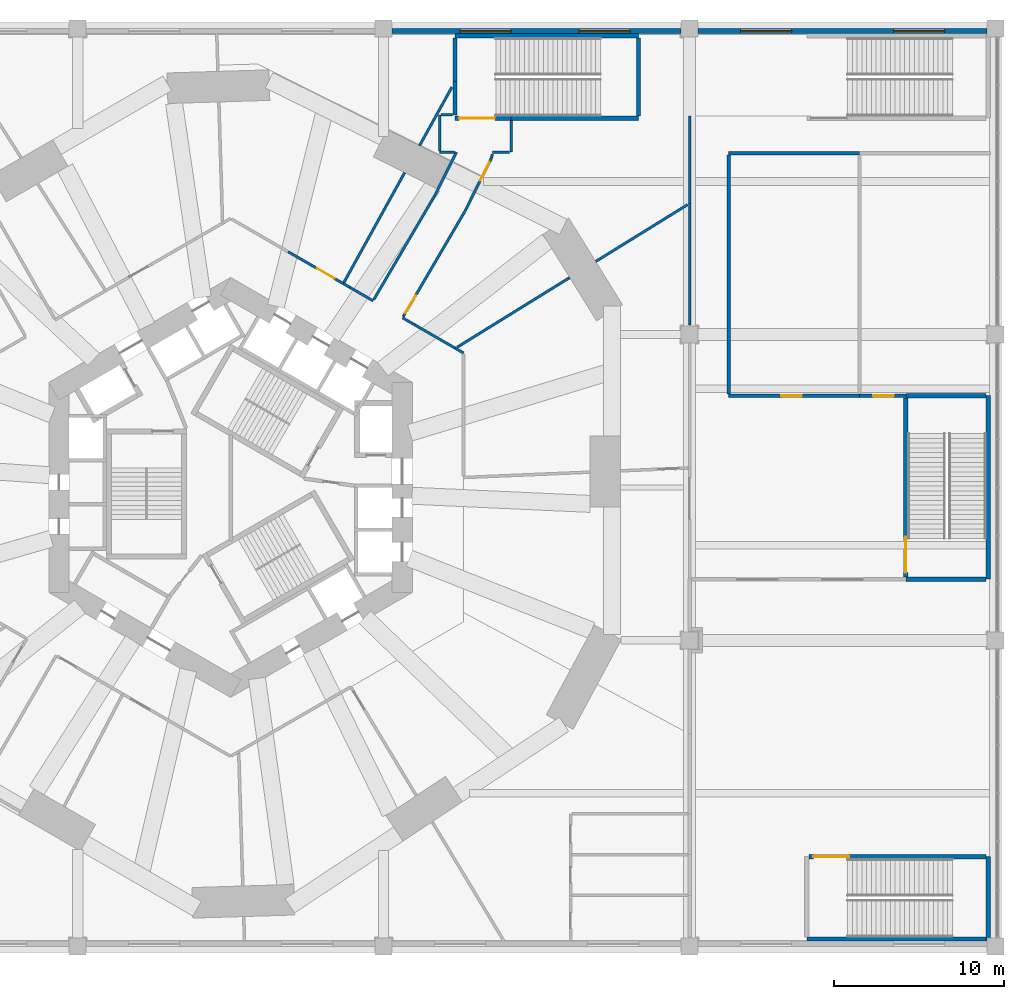
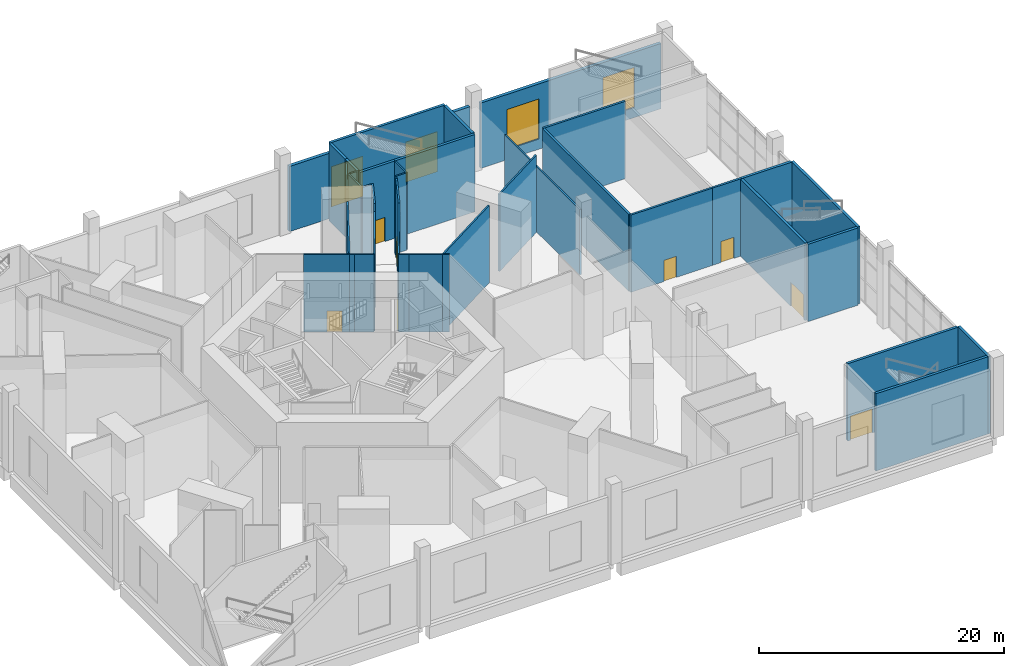
# One storey, part 10 of 15: 41 walls, 8 doors, 4 windows, 12 openings.
"""IFC4 building model written with IfcOpenShell, lengths in metres."""

from ifc_helpers import new_model, si_unit, direction, frame, frame_2d, origin, place, context, subcontext, project, spatial, rectangle, extrude, material, layer, layer_set, type_object, element, fill, save


model = new_model("IFC4")

# Units and contexts
model_context = context("Model", 3, precision=1e-05, world=origin(), true_north=direction((0.0, 1.0)))
body_context = subcontext(model_context, "Body", "Model", "MODEL_VIEW")
ifc_project = project(units=[si_unit("LENGTHUNIT", "METRE"), si_unit("AREAUNIT", "SQUARE_METRE"), si_unit("VOLUMEUNIT", "CUBIC_METRE"), si_unit("PLANEANGLEUNIT", "RADIAN"), si_unit("MASSUNIT", "GRAM", prefix="KILO")], contexts=[model_context])

# Site, building, storey
site_placement = place(None, origin())
site = spatial("IfcSite", under=ifc_project, at=site_placement, CompositionType="ELEMENT")
building_placement = place(site_placement, origin())
building = spatial("IfcBuilding", under=site, at=building_placement, Name="Vanh Sen Convention Tower", CompositionType="ELEMENT")
storey_placement = place(building_placement, frame((0.0, 0.0, 21.0)))
storey = spatial("IfcBuildingStorey", under=building, at=storey_placement, Name="L03", CompositionType="ELEMENT", Elevation=21.0)

# Wall, opening, door
ifc_material_1 = material(Name="Concrete C40/50", Category="concrete")
ifc_layer_1 = layer(ifc_material_1, 0.25)
ifc_layer_set_1 = layer_set([ifc_layer_1], Name="Concrete C40/50")
wall_type_1 = type_object("IfcWallType", Name="Concrete wall 250 REI 180", PredefinedType="SOLIDWALL", material=ifc_layer_set_1)
wall_1_placement = place(storey_placement, frame((34.0400390625, -21.72509765625, 0.0), z_axis=(0.0, 0.0, 1.0), x_axis=(1.0, 0.0, 0.0)))
wall_1 = element("IfcWall", 1, at=wall_1_placement, inside=storey, type_object=wall_type_1, Name="Fire-resisting wall L03-011", PredefinedType="SOLIDWALL", context=body_context, shape_type="SweptSolid", body=[
    extrude(rectangle(XDim=10.39990234375, YDim=0.25, at=frame_2d((5.199951171875, 0.0))), origin(), (0.0, 0.0, 1.0), 7.699951171875),
])
opening_1_placement = place(wall_1_placement, frame((0.25, 0.0, 0.0)))
opening_1 = element("IfcOpeningElement", 2, at=opening_1_placement, cuts=wall_1, Name="Opening D03104", PredefinedType="OPENING", context=body_context, shape_type="SweptSolid", body=[
    extrude(rectangle(XDim=2.10009765625, YDim=2.39990234375, at=frame_2d((1.050048828125, 1.199951171875))), frame((0.0, 0.135009765625, 0.0), z_axis=(0.0, -1.0, 0.0), x_axis=(1.0, 0.0, 0.0)), (0.0, 0.0, 1.0), 0.27001953125),
])
ifc_material_2 = material(Name="Steel S355", Category="steel")
door_type_1 = type_object("IfcDoorType", Name="Stair door 2100 EI 60", OperationType="DOUBLE_DOOR_SINGLE_SWING", PredefinedType="DOOR", material=ifc_material_2)
door_1_placement = place(opening_1_placement, frame((2.10009765625, 0.0, 0.0), z_axis=(0.0, 0.0, 1.0), x_axis=(-1.0, 0.0, 0.0)))
door_1 = element("IfcDoor", 3, at=door_1_placement, inside=storey, type_object=door_type_1, Name="Stair door D03104", OperationType="DOUBLE_DOOR_SINGLE_SWING", OverallHeight=2.39990234375, OverallWidth=2.10009765625, PredefinedType="DOOR", context=body_context, shape_type="SweptSolid", body=[
    extrude(rectangle(XDim=2.10009765625, YDim=2.39990234375, at=frame_2d((1.050048828125, 1.199951171875))), frame((0.0, 0.02490234375, 0.0), z_axis=(0.0, -1.0, 0.0), x_axis=(1.0, 0.0, 0.0)), (0.0, 0.0, 1.0), 0.050048828125),
])
fill(opening_1, door_1)

# Wall
wall_2_placement = place(storey_placement, frame((44.43994140625, -5.39990234375, 0.0), z_axis=(0.0, 0.0, 1.0), x_axis=(-1.0, 0.0, 0.0)))
element("IfcWall", 4, at=wall_2_placement, inside=storey, type_object=wall_type_1, Name="Fire-resisting wall L03-050", PredefinedType="SOLIDWALL", context=body_context, shape_type="SweptSolid", body=[
    extrude(rectangle(XDim=4.71484375, YDim=0.25, at=frame_2d((2.357421875, 0.0))), origin(), (0.0, 0.0, 1.0), 7.699951171875),
])

# Wall, opening, door
wall_3_placement = place(storey_placement, frame((39.72509765625, -5.260009765625, 0.0), z_axis=(0.0, 0.0, 1.0), x_axis=(0.0, 1.0, 0.0)))
wall_3 = element("IfcWall", 5, at=wall_3_placement, inside=storey, type_object=wall_type_1, Name="Fire-resisting wall L03-051", PredefinedType="SOLIDWALL", context=body_context, shape_type="SweptSolid", body=[
    extrude(rectangle(XDim=10.52001953125, YDim=0.25, at=frame_2d((5.260009765625, 0.0))), origin(), (0.0, 0.0, 1.0), 7.699951171875),
])
opening_2_placement = place(wall_3_placement, frame((0.25, 0.0, 0.0)))
opening_2 = element("IfcOpeningElement", 6, at=opening_2_placement, cuts=wall_3, Name="Opening D03114", PredefinedType="OPENING", context=body_context, shape_type="SweptSolid", body=[
    extrude(rectangle(XDim=2.10009765625, YDim=2.39990234375, at=frame_2d((1.050048828125, 1.199951171875))), frame((0.0, 0.135009765625, 0.0), z_axis=(0.0, -1.0, 0.0), x_axis=(1.0, 0.0, 0.0)), (0.0, 0.0, 1.0), 0.27001953125),
])
door_2_placement = place(opening_2_placement, frame((2.10009765625, 0.0, 0.0), z_axis=(0.0, 0.0, 1.0), x_axis=(-1.0, 0.0, 0.0)))
door_2 = element("IfcDoor", 7, at=door_2_placement, inside=storey, type_object=door_type_1, Name="Stair door D03114", OperationType="DOUBLE_DOOR_SINGLE_SWING", OverallHeight=2.39990234375, OverallWidth=2.10009765625, PredefinedType="DOOR", context=body_context, shape_type="SweptSolid", body=[
    extrude(rectangle(XDim=2.10009765625, YDim=2.39990234375, at=frame_2d((1.050048828125, 1.199951171875))), frame((0.0, 0.02490234375, 0.0), z_axis=(0.0, -1.0, 0.0), x_axis=(1.0, 0.0, 0.0)), (0.0, 0.0, 1.0), 0.050048828125),
])
fill(opening_2, door_2)

# Wall
wall_4_placement = place(storey_placement, frame((39.72509765625, 5.39990234375, 0.0), z_axis=(0.0, 0.0, 1.0), x_axis=(1.0, 0.0, 0.0)))
element("IfcWall", 8, at=wall_4_placement, inside=storey, type_object=wall_type_1, Name="Fire-resisting wall L03-060", PredefinedType="SOLIDWALL", context=body_context, shape_type="SweptSolid", body=[
    extrude(rectangle(XDim=4.71484375, YDim=0.25, at=frame_2d((2.357421875, 0.0))), origin(), (0.0, 0.0, 1.0), 7.699951171875),
])

# Wall, opening, door
wall_5_placement = place(storey_placement, frame((16.5, 21.72509765625, 0.0), z_axis=(0.0, 0.0, 1.0), x_axis=(-1.0, 0.0, 0.0)))
wall_5 = element("IfcWall", 9, at=wall_5_placement, inside=storey, type_object=wall_type_1, Name="Fire-resisting wall L03-110", PredefinedType="SOLIDWALL", context=body_context, shape_type="SweptSolid", body=[
    extrude(rectangle(XDim=3.300048828125, YDim=0.25, at=frame_2d((1.64990234375, 0.0))), origin(), (0.0, 0.0, 1.0), 7.699951171875),
])
opening_3_placement = place(wall_5_placement, frame((0.949951171875, 0.0, 0.0)))
opening_3 = element("IfcOpeningElement", 10, at=opening_3_placement, cuts=wall_5, Name="Opening D03125", PredefinedType="OPENING", context=body_context, shape_type="SweptSolid", body=[
    extrude(rectangle(XDim=2.10009765625, YDim=2.39990234375, at=frame_2d((1.050048828125, 1.199951171875))), frame((0.0, 0.135009765625, 0.0), z_axis=(0.0, -1.0, 0.0), x_axis=(1.0, 0.0, 0.0)), (0.0, 0.0, 1.0), 0.27001953125),
])
door_3_placement = place(opening_3_placement, frame((2.10009765625, 0.0, 0.0), z_axis=(0.0, 0.0, 1.0), x_axis=(-1.0, 0.0, 0.0)))
door_3 = element("IfcDoor", 11, at=door_3_placement, inside=storey, type_object=door_type_1, Name="Stair door D03125", OperationType="DOUBLE_DOOR_SINGLE_SWING", OverallHeight=2.39990234375, OverallWidth=2.10009765625, PredefinedType="DOOR", context=body_context, shape_type="SweptSolid", body=[
    extrude(rectangle(XDim=2.10009765625, YDim=2.39990234375, at=frame_2d((1.050048828125, 1.199951171875))), frame((0.0, 0.02490234375, 0.0), z_axis=(0.0, -1.0, 0.0), x_axis=(1.0, 0.0, 0.0)), (0.0, 0.0, 1.0), 0.050048828125),
])
fill(opening_3, door_3)

# Walls
wall_6_placement = place(storey_placement, frame((24.0, 21.72509765625, 0.0), z_axis=(0.0, 0.0, 1.0), x_axis=(-1.0, 0.0, 0.0)))
element("IfcWall", 12, at=wall_6_placement, inside=storey, type_object=wall_type_1, Name="Fire-resisting wall L03-111", PredefinedType="SOLIDWALL", context=body_context, shape_type="SweptSolid", body=[
    extrude(rectangle(XDim=7.5, YDim=0.25, at=frame_2d((3.75, 0.0))), origin(), (0.0, 0.0, 1.0), 7.699951171875),
])
wall_7_placement = place(storey_placement, frame((13.199951171875, 21.925048828125, 0.0), z_axis=(0.0, 0.0, 1.0), x_axis=(0.0, 1.0, 0.0)))
element("IfcWall", 13, at=wall_7_placement, inside=storey, type_object=wall_type_1, Name="Fire-resisting wall L03-116", PredefinedType="SOLIDWALL", context=body_context, shape_type="SweptSolid", body=[
    extrude(rectangle(XDim=1.953369140625, YDim=0.25, at=frame_2d((0.9765625, 0.0))), origin(), (0.0, 0.0, 1.0), 7.699951171875),
])
wall_8_placement = place(storey_placement, frame((13.199951171875, 23.87841796875, 0.0), z_axis=(0.0, 0.0, 1.0), x_axis=(0.0, 1.0, 0.0)))
element("IfcWall", 14, at=wall_8_placement, inside=storey, type_object=wall_type_1, Name="Fire-resisting wall L03-117", PredefinedType="SOLIDWALL", context=body_context, shape_type="SweptSolid", body=[
    extrude(rectangle(XDim=2.5615234375, YDim=0.25, at=frame_2d((1.28076171875, 0.0))), origin(), (0.0, 0.0, 1.0), 7.699951171875),
])
wall_9_placement = place(storey_placement, frame((24.0, 26.43994140625, 0.0), z_axis=(0.0, 0.0, 1.0), x_axis=(0.0, -1.0, 0.0)))
element("IfcWall", 15, at=wall_9_placement, inside=storey, type_object=wall_type_1, Name="Fire-resisting wall L03-121", PredefinedType="SOLIDWALL", context=body_context, shape_type="SweptSolid", body=[
    extrude(rectangle(XDim=4.574951171875, YDim=0.25, at=frame_2d((2.28759765625, 0.0))), origin(), (0.0, 0.0, 1.0), 7.699951171875),
])
wall_10_placement = place(storey_placement, frame((44.574951171875, -21.72509765625, 0.0), z_axis=(0.0, 0.0, 1.0), x_axis=(0.0, -1.0, 0.0)))
element("IfcWall", 16, at=wall_10_placement, inside=storey, type_object=wall_type_1, Name="Stair enclosure wall PS2 L03", PredefinedType="SOLIDWALL", context=body_context, shape_type="SweptSolid", body=[
    extrude(rectangle(XDim=4.974853515625, YDim=0.25, at=frame_2d((2.4873046875, 0.0))), origin(), (0.0, 0.0, 1.0), 7.699951171875),
])
wall_11_placement = place(storey_placement, frame((44.449951171875, -26.574951171875, 0.0), z_axis=(0.0, 0.0, 1.0), x_axis=(-1.0, 0.0, 0.0)))
element("IfcWall", 17, at=wall_11_placement, inside=storey, type_object=wall_type_1, Name="Stair enclosure wall PS2 L03", PredefinedType="SOLIDWALL", context=body_context, shape_type="SweptSolid", body=[
    extrude(rectangle(XDim=10.550048828125, YDim=0.25, at=frame_2d((5.27490234375, 0.0))), origin(), (0.0, 0.0, 1.0), 7.699951171875),
])
wall_12_placement = place(storey_placement, frame((44.574951171875, 5.39990234375, 0.0), z_axis=(0.0, 0.0, 1.0), x_axis=(0.0, -1.0, 0.0)))
element("IfcWall", 18, at=wall_12_placement, inside=storey, type_object=wall_type_1, Name="Stair enclosure wall PS3 L03", PredefinedType="SOLIDWALL", context=body_context, shape_type="SweptSolid", body=[
    extrude(rectangle(XDim=10.7998046875, YDim=0.25, at=frame_2d((5.39990234375, 0.0))), origin(), (0.0, 0.0, 1.0), 7.699951171875),
])
wall_13_placement = place(storey_placement, frame((24.0, 26.574951171875, 0.0), z_axis=(0.0, 0.0, 1.0), x_axis=(-1.0, 0.0, 0.0)))
element("IfcWall", 19, at=wall_13_placement, inside=storey, type_object=wall_type_1, Name="Stair enclosure wall PS4 L03", PredefinedType="SOLIDWALL", context=body_context, shape_type="SweptSolid", body=[
    extrude(rectangle(XDim=10.800048828125, YDim=0.25, at=frame_2d((5.39990234375, 0.0))), origin(), (0.0, 0.0, 1.0), 7.699951171875),
])
ifc_material_3 = material(Name="Acoustic operable panels on an overhead track", Category="gypsum")
ifc_layer_2 = layer(ifc_material_3, 0.14990234375)
ifc_layer_set_2 = layer_set([ifc_layer_2], Name="Acoustic operable panels on an overhead track")
wall_type_2 = type_object("IfcWallType", Name="Operable partition 150 EI 60", PredefinedType="MOVABLE", material=ifc_layer_set_2)
wall_14_placement = place(storey_placement, frame((19.948974609375, 12.344970703125, 0.0), z_axis=(0.0, 0.0, 1.0), x_axis=(-0.850341306025, -0.526231568102, 0.0)))
element("IfcWall", 20, at=wall_14_placement, inside=storey, type_object=wall_type_2, Name="Operable partition L03-079", PredefinedType="MOVABLE", context=body_context, shape_type="SweptSolid", body=[
    extrude(rectangle(XDim=7.787353515625, YDim=0.14990234375, at=frame_2d((3.8935546875, 0.0))), origin(), (0.0, 0.0, 1.0), 7.699951171875),
])
ifc_material_4 = material(Name="Gypsum board on steel studs", Category="steel")
ifc_layer_3 = layer(ifc_material_4, 0.14990234375)
ifc_layer_set_3 = layer_set([ifc_layer_3], Name="Gypsum board on steel studs")
wall_type_3 = type_object("IfcWallType", Name="Partition 150 EI 60", PredefinedType="PARTITIONING", material=ifc_layer_set_3)
wall_15_placement = place(storey_placement, frame((13.699951171875, 7.909423828125, 0.0), z_axis=(0.0, 0.0, 1.0), x_axis=(-0.865629350875, 0.50068535719, 0.0)))
element("IfcWall", 21, at=wall_15_placement, inside=storey, type_object=wall_type_3, Name="Partition L03-064", PredefinedType="PARTITIONING", context=body_context, shape_type="SweptSolid", body=[
    extrude(rectangle(XDim=0.548583984375, YDim=0.14990234375, at=frame_2d((0.2744140625, 0.0))), origin(), (0.0, 0.0, 1.0), 7.699951171875),
])
wall_16_placement = place(storey_placement, frame((27.0, 9.550048828125, 0.0), z_axis=(0.0, 0.0, 1.0), x_axis=(0.0, 1.0, 0.0)))
element("IfcWall", 22, at=wall_16_placement, inside=storey, type_object=wall_type_3, Name="Partition L03-067", PredefinedType="PARTITIONING", context=body_context, shape_type="SweptSolid", body=[
    extrude(rectangle(XDim=7.157958984375, YDim=0.14990234375, at=frame_2d((3.5791015625, 0.0))), origin(), (0.0, 0.0, 1.0), 6.5),
])
wall_17_placement = place(storey_placement, frame((10.83349609375, 9.564453125, 0.0), z_axis=(0.0, 0.0, 1.0), x_axis=(0.866091368387, -0.499885728548, 0.0)))
element("IfcWall", 23, at=wall_17_placement, inside=storey, type_object=wall_type_3, Name="Partition L03-068", PredefinedType="PARTITIONING", context=body_context, shape_type="SweptSolid", body=[
    extrude(rectangle(XDim=2.761474609375, YDim=0.14990234375, at=frame_2d((1.380859375, 0.0))), origin(), (0.0, 0.0, 1.0), 7.699951171875),
])
wall_18_placement = place(storey_placement, frame((10.113525390625, 9.98046875, 0.0), z_axis=(0.0, 0.0, 1.0), x_axis=(0.865848115047, -0.500306947453, 0.0)))
element("IfcWall", 24, at=wall_18_placement, inside=storey, type_object=wall_type_3, Name="Partition L03-070", PredefinedType="PARTITIONING", context=body_context, shape_type="SweptSolid", body=[
    extrude(rectangle(XDim=0.83154296875, YDim=0.14990234375, at=frame_2d((0.415771484375, 0.0))), origin(), (0.0, 0.0, 1.0), 7.699951171875),
])
wall_19_placement = place(storey_placement, frame((8.421875, 11.049560546875, 0.0), z_axis=(0.0, 0.0, 1.0), x_axis=(0.50561651199, 0.862758333952, 0.0)))
element("IfcWall", 25, at=wall_19_placement, inside=storey, type_object=wall_type_3, Name="Partition L03-071", PredefinedType="PARTITIONING", context=body_context, shape_type="SweptSolid", body=[
    extrude(rectangle(XDim=7.1181640625, YDim=0.14990234375, at=frame_2d((3.55908203125, 0.0))), origin(), (0.0, 0.0, 1.0), 6.89990234375),
])
wall_20_placement = place(storey_placement, frame((6.9951171875, 11.78076171875, 0.0), z_axis=(0.0, 0.0, 1.0), x_axis=(0.866076391369, -0.499911676512, 0.0)))
element("IfcWall", 26, at=wall_20_placement, inside=storey, type_object=wall_type_3, Name="Partition L03-074", PredefinedType="PARTITIONING", context=body_context, shape_type="SweptSolid", body=[
    extrude(rectangle(XDim=1.600830078125, YDim=0.14990234375, at=frame_2d((0.80029296875, 0.0))), origin(), (0.0, 0.0, 1.0), 7.699951171875),
])
wall_21_placement = place(storey_placement, frame((6.9951171875, 11.78076171875, 0.0), z_axis=(0.0, 0.0, 1.0), x_axis=(-0.866281716711, 0.49955578997, 0.0)))
element("IfcWall", 27, at=wall_21_placement, inside=storey, type_object=wall_type_3, Name="Partition L03-075", PredefinedType="PARTITIONING", context=body_context, shape_type="SweptSolid", body=[
    extrude(rectangle(XDim=0.4228515625, YDim=0.14990234375, at=frame_2d((0.21142578125, 0.0))), origin(), (0.0, 0.0, 1.0), 7.699951171875),
])

# Wall, opening, door
wall_22_placement = place(storey_placement, frame((6.62890625, 11.991943359375, 0.0), z_axis=(0.0, 0.0, 1.0), x_axis=(-0.86599558016, 0.500051652475, 0.0)))
wall_22 = element("IfcWall", 28, at=wall_22_placement, inside=storey, type_object=wall_type_3, Name="Partition L03-077", PredefinedType="PARTITIONING", context=body_context, shape_type="SweptSolid", body=[
    extrude(rectangle(XDim=3.74462890625, YDim=0.14990234375, at=frame_2d((1.872314453125, 0.0))), origin(), (0.0, 0.0, 1.0), 7.699951171875),
])
opening_4_placement = place(wall_22_placement, frame((0.60009765625, 0.0, 0.0)))
opening_4 = element("IfcOpeningElement", 29, at=opening_4_placement, cuts=wall_22, Name="Opening D03120", PredefinedType="OPENING", context=body_context, shape_type="SweptSolid", body=[
    extrude(rectangle(XDim=1.199951171875, YDim=2.10009765625, at=frame_2d((0.60009765625, 1.050048828125))), frame((0.0, 0.0849609375, 0.0), z_axis=(0.0, -1.0, 0.0), x_axis=(1.0, 0.0, 0.0)), (0.0, 0.0, 1.0), 0.169921875),
])
ifc_material_5 = material(Name="Timber door in steel frame", Category="steel")
door_type_2 = type_object("IfcDoorType", Name="Room door 1200 EI 30", OperationType="SINGLE_SWING_LEFT", PredefinedType="DOOR", material=ifc_material_5)
door_4_placement = place(opening_4_placement, origin())
door_4 = element("IfcDoor", 30, at=door_4_placement, inside=storey, type_object=door_type_2, Name="Room door D03120", OperationType="SINGLE_SWING_LEFT", OverallHeight=2.10009765625, OverallWidth=1.199951171875, PredefinedType="DOOR", context=body_context, shape_type="SweptSolid", body=[
    extrude(rectangle(XDim=1.199951171875, YDim=2.10009765625, at=frame_2d((0.60009765625, 1.050048828125))), frame((0.0, 0.02490234375, 0.0), z_axis=(0.0, -1.0, 0.0), x_axis=(1.0, 0.0, 0.0)), (0.0, 0.0, 1.0), 0.050048828125),
])
fill(opening_4, door_4)

# Walls
wall_23_placement = place(storey_placement, frame((6.667724609375, 12.06201171875, 0.0), z_axis=(0.0, 0.0, 1.0), x_axis=(0.483795376692, 0.875181143245, 0.0)))
element("IfcWall", 31, at=wall_23_placement, inside=storey, type_object=wall_type_3, Name="Partition L03-078", PredefinedType="PARTITIONING", context=body_context, shape_type="SweptSolid", body=[
    extrude(rectangle(XDim=7.386962890625, YDim=0.14990234375, at=frame_2d((3.693359375, 0.0))), origin(), (0.0, 0.0, 1.0), 7.699951171875),
])
wall_24_placement = place(storey_placement, frame((21.4794921875, 13.2919921875, 0.0), z_axis=(0.0, 0.0, 1.0), x_axis=(0.850365065786, 0.5261931726, 0.0)))
element("IfcWall", 32, at=wall_24_placement, inside=storey, type_object=wall_type_3, Name="Partition L03-080", PredefinedType="PARTITIONING", context=body_context, shape_type="SweptSolid", body=[
    extrude(rectangle(XDim=6.351806640625, YDim=0.14990234375, at=frame_2d((3.17578125, 0.0))), origin(), (0.0, 0.0, 1.0), 7.699951171875),
])

# Wall, opening, door
wall_25_placement = place(storey_placement, frame((13.77197265625, 16.22412109375, 0.0), z_axis=(0.0, 0.0, 1.0), x_axis=(-0.505547889018, -0.862798546539, 0.0)))
wall_25 = element("IfcWall", 33, at=wall_25_placement, inside=storey, type_object=wall_type_3, Name="Partition L03-086", PredefinedType="PARTITIONING", context=body_context, shape_type="SweptSolid", body=[
    extrude(rectangle(XDim=7.156494140625, YDim=0.14990234375, at=frame_2d((3.578125, 0.0))), origin(), (0.0, 0.0, 1.0), 7.699951171875),
])
opening_5_placement = place(wall_25_placement, frame((5.706298828125, 0.0, 0.0)))
opening_5 = element("IfcOpeningElement", 34, at=opening_5_placement, cuts=wall_25, Name="Opening D03121", PredefinedType="OPENING", context=body_context, shape_type="SweptSolid", body=[
    extrude(rectangle(XDim=1.199951171875, YDim=2.10009765625, at=frame_2d((0.60009765625, 1.050048828125))), frame((0.0, 0.0849609375, 0.0), z_axis=(0.0, -1.0, 0.0), x_axis=(1.0, 0.0, 0.0)), (0.0, 0.0, 1.0), 0.169921875),
])
door_5_placement = place(opening_5_placement, origin())
door_5 = element("IfcDoor", 35, at=door_5_placement, inside=storey, type_object=door_type_2, Name="Room door D03121", OperationType="SINGLE_SWING_LEFT", OverallHeight=2.10009765625, OverallWidth=1.199951171875, PredefinedType="DOOR", context=body_context, shape_type="SweptSolid", body=[
    extrude(rectangle(XDim=1.199951171875, YDim=2.10009765625, at=frame_2d((0.60009765625, 1.050048828125))), frame((0.0, 0.02490234375, 0.0), z_axis=(0.0, -1.0, 0.0), x_axis=(1.0, 0.0, 0.0)), (0.0, 0.0, 1.0), 0.050048828125),
])
fill(opening_5, door_5)

# Walls
wall_26_placement = place(storey_placement, frame((27.0, 16.7080078125, 0.0), z_axis=(0.0, 0.0, 1.0), x_axis=(0.0, 1.0, 0.0)))
element("IfcWall", 36, at=wall_26_placement, inside=storey, type_object=wall_type_3, Name="Partition L03-087", PredefinedType="PARTITIONING", context=body_context, shape_type="SweptSolid", body=[
    extrude(rectangle(XDim=5.14208984375, YDim=0.14990234375, at=frame_2d((2.571044921875, 0.0))), origin(), (0.0, 0.0, 1.0), 6.5),
])
wall_27_placement = place(storey_placement, frame((12.030029296875, 17.208984375, 0.0), z_axis=(0.0, 0.0, 1.0), x_axis=(0.445753790741, 0.89515560549, 0.0)))
element("IfcWall", 37, at=wall_27_placement, inside=storey, type_object=wall_type_3, Name="Partition L03-088", PredefinedType="PARTITIONING", context=body_context, shape_type="SweptSolid", body=[
    extrude(rectangle(XDim=2.810791015625, YDim=0.14990234375, at=frame_2d((1.4052734375, 0.0))), origin(), (0.0, 0.0, 1.0), 7.699951171875),
])

# Wall, opening, door
wall_28_placement = place(storey_placement, frame((15.338134765625, 19.364990234375, 0.0), z_axis=(0.0, 0.0, 1.0), x_axis=(-0.44583629063, -0.895114518906, 0.0)))
wall_28 = element("IfcWall", 38, at=wall_28_placement, inside=storey, type_object=wall_type_3, Name="Partition L03-092", PredefinedType="PARTITIONING", context=body_context, shape_type="SweptSolid", body=[
    extrude(rectangle(XDim=3.4755859375, YDim=0.14990234375, at=frame_2d((1.73779296875, 0.0))), origin(), (0.0, 0.0, 1.0), 7.699951171875),
])
opening_6_placement = place(wall_28_placement, frame((0.25, 0.0, 0.0)))
opening_6 = element("IfcOpeningElement", 39, at=opening_6_placement, cuts=wall_28, Name="Opening D03122", PredefinedType="OPENING", context=body_context, shape_type="SweptSolid", body=[
    extrude(rectangle(XDim=1.199951171875, YDim=2.10009765625, at=frame_2d((0.60009765625, 1.050048828125))), frame((0.0, 0.0849609375, 0.0), z_axis=(0.0, -1.0, 0.0), x_axis=(1.0, 0.0, 0.0)), (0.0, 0.0, 1.0), 0.169921875),
])
door_6_placement = place(opening_6_placement, origin())
door_6 = element("IfcDoor", 40, at=door_6_placement, inside=storey, type_object=door_type_2, Name="Room door D03122", OperationType="SINGLE_SWING_LEFT", OverallHeight=2.10009765625, OverallWidth=1.199951171875, PredefinedType="DOOR", context=body_context, shape_type="SweptSolid", body=[
    extrude(rectangle(XDim=1.199951171875, YDim=2.10009765625, at=frame_2d((0.60009765625, 1.050048828125))), frame((0.0, 0.02490234375, 0.0), z_axis=(0.0, -1.0, 0.0), x_axis=(1.0, 0.0, 0.0)), (0.0, 0.0, 1.0), 0.050048828125),
])
fill(opening_6, door_6)

# Walls
wall_29_placement = place(storey_placement, frame((15.39990234375, 19.60888671875, 0.0), z_axis=(0.0, 0.0, 1.0), x_axis=(-0.228393975948, -0.973568791484, 0.0)))
element("IfcWall", 41, at=wall_29_placement, inside=storey, type_object=wall_type_3, Name="Partition L03-096", PredefinedType="PARTITIONING", context=body_context, shape_type="SweptSolid", body=[
    extrude(rectangle(XDim=0.23193359375, YDim=0.14990234375, at=frame_2d((0.115966796875, 0.0))), origin(), (0.0, 0.0, 1.0), 7.699951171875),
])
wall_30_placement = place(storey_placement, frame((13.1630859375, 19.72509765625, 0.0), z_axis=(0.0, 0.0, 1.0), x_axis=(-1.0, 0.0, 0.0)))
element("IfcWall", 42, at=wall_30_placement, inside=storey, type_object=wall_type_3, Name="Partition L03-102", PredefinedType="PARTITIONING", context=body_context, shape_type="SweptSolid", body=[
    extrude(rectangle(XDim=0.863037109375, YDim=0.14990234375, at=frame_2d((0.431640625, 0.0))), origin(), (0.0, 0.0, 1.0), 7.699951171875),
])
wall_31_placement = place(storey_placement, frame((16.419921875, 19.72509765625, 0.0), z_axis=(0.0, 0.0, 1.0), x_axis=(-1.0, 0.0, 0.0)))
element("IfcWall", 43, at=wall_31_placement, inside=storey, type_object=wall_type_3, Name="Partition L03-103", PredefinedType="PARTITIONING", context=body_context, shape_type="SweptSolid", body=[
    extrude(rectangle(XDim=1.02001953125, YDim=0.14990234375, at=frame_2d((0.510009765625, 0.0))), origin(), (0.0, 0.0, 1.0), 7.699951171875),
])
wall_32_placement = place(storey_placement, frame((12.300048828125, 19.804931640625, 0.0), z_axis=(0.0, 0.0, 1.0), x_axis=(0.0, 1.0, 0.0)))
element("IfcWall", 44, at=wall_32_placement, inside=storey, type_object=wall_type_3, Name="Partition L03-105", PredefinedType="PARTITIONING", context=body_context, shape_type="SweptSolid", body=[
    extrude(rectangle(XDim=2.1201171875, YDim=0.14990234375, at=frame_2d((1.06005859375, 0.0))), origin(), (0.0, 0.0, 1.0), 7.699951171875),
])
wall_33_placement = place(storey_placement, frame((11.113037109375, 20.103515625, 0.0), z_axis=(0.0, 0.0, 1.0), x_axis=(0.483823742959, 0.875165461927, 0.0)))
element("IfcWall", 45, at=wall_33_placement, inside=storey, type_object=wall_type_3, Name="Partition L03-106", PredefinedType="PARTITIONING", context=body_context, shape_type="SweptSolid", body=[
    extrude(rectangle(XDim=3.933349609375, YDim=0.14990234375, at=frame_2d((1.966796875, 0.0))), origin(), (0.0, 0.0, 1.0), 7.699951171875),
])
wall_34_placement = place(storey_placement, frame((16.5, 21.5849609375, 0.0), z_axis=(0.0, 0.0, 1.0), x_axis=(0.0, -1.0, 0.0)))
element("IfcWall", 46, at=wall_34_placement, inside=storey, type_object=wall_type_3, Name="Partition L03-107", PredefinedType="PARTITIONING", context=body_context, shape_type="SweptSolid", body=[
    extrude(rectangle(XDim=1.85986328125, YDim=0.14990234375, at=frame_2d((0.929931640625, 0.0))), origin(), (0.0, 0.0, 1.0), 7.699951171875),
])
wall_35_placement = place(storey_placement, frame((12.3798828125, 21.925048828125, 0.0), z_axis=(0.0, 0.0, 1.0), x_axis=(1.0, 0.0, 0.0)))
element("IfcWall", 47, at=wall_35_placement, inside=storey, type_object=wall_type_3, Name="Partition L03-115", PredefinedType="PARTITIONING", context=body_context, shape_type="SweptSolid", body=[
    extrude(rectangle(XDim=0.68017578125, YDim=0.14990234375, at=frame_2d((0.340087890625, 0.0))), origin(), (0.0, 0.0, 1.0), 7.699951171875),
])

# Wall, opening, door
ifc_material_6 = material(Name="Concrete C20/25", Category="concrete")
ifc_layer_4 = layer(ifc_material_6, 0.199951171875)
ifc_layer_set_4 = layer_set([ifc_layer_4], Name="Concrete C20/25")
wall_type_4 = type_object("IfcWallType", Name="Partition 200 EI 120", PredefinedType="PARTITIONING", material=ifc_layer_set_4)
wall_36_placement = place(storey_placement, frame((29.300048828125, 5.39990234375, 0.0), z_axis=(0.0, 0.0, 1.0), x_axis=(1.0, 0.0, 0.0)))
wall_36 = element("IfcWall", 48, at=wall_36_placement, inside=storey, type_object=wall_type_4, Name="Partition L03-058", PredefinedType="PARTITIONING", context=body_context, shape_type="SweptSolid", body=[
    extrude(rectangle(XDim=7.699951171875, YDim=0.199951171875, at=frame_2d((3.85009765625, 0.0))), origin(), (0.0, 0.0, 1.0), 7.699951171875),
])
opening_7_placement = place(wall_36_placement, frame((3.10009765625, 0.0, 0.0)))
opening_7 = element("IfcOpeningElement", 49, at=opening_7_placement, cuts=wall_36, Name="Opening D03117", PredefinedType="OPENING", context=body_context, shape_type="SweptSolid", body=[
    extrude(rectangle(XDim=1.199951171875, YDim=2.10009765625, at=frame_2d((0.60009765625, 1.050048828125))), frame((0.0, 0.10986328125, 0.0), z_axis=(0.0, -1.0, 0.0), x_axis=(1.0, 0.0, 0.0)), (0.0, 0.0, 1.0), 0.219970703125),
])
door_type_3 = type_object("IfcDoorType", Name="Room door 1200 EI 60", OperationType="SINGLE_SWING_LEFT", PredefinedType="DOOR", material=ifc_material_5)
door_7_placement = place(opening_7_placement, origin())
door_7 = element("IfcDoor", 50, at=door_7_placement, inside=storey, type_object=door_type_3, Name="Room door D03117", OperationType="SINGLE_SWING_LEFT", OverallHeight=2.10009765625, OverallWidth=1.199951171875, PredefinedType="DOOR", context=body_context, shape_type="SweptSolid", body=[
    extrude(rectangle(XDim=1.199951171875, YDim=2.10009765625, at=frame_2d((0.60009765625, 1.050048828125))), frame((0.0, 0.02490234375, 0.0), z_axis=(0.0, -1.0, 0.0), x_axis=(1.0, 0.0, 0.0)), (0.0, 0.0, 1.0), 0.050048828125),
])
fill(opening_7, door_7)

wall_37_placement = place(storey_placement, frame((37.0, 5.39990234375, 0.0), z_axis=(0.0, 0.0, 1.0), x_axis=(1.0, 0.0, 0.0)))
wall_37 = element("IfcWall", 51, at=wall_37_placement, inside=storey, type_object=wall_type_4, Name="Partition L03-059", PredefinedType="PARTITIONING", context=body_context, shape_type="SweptSolid", body=[
    extrude(rectangle(XDim=2.72509765625, YDim=0.199951171875, at=frame_2d((1.362548828125, 0.0))), origin(), (0.0, 0.0, 1.0), 7.699951171875),
])
opening_8_placement = place(wall_37_placement, frame((0.800048828125, 0.0, 0.0)))
opening_8 = element("IfcOpeningElement", 52, at=opening_8_placement, cuts=wall_37, Name="Opening D03118", PredefinedType="OPENING", context=body_context, shape_type="SweptSolid", body=[
    extrude(rectangle(XDim=1.199951171875, YDim=2.10009765625, at=frame_2d((0.60009765625, 1.050048828125))), frame((0.0, 0.10986328125, 0.0), z_axis=(0.0, -1.0, 0.0), x_axis=(1.0, 0.0, 0.0)), (0.0, 0.0, 1.0), 0.219970703125),
])
door_8_placement = place(opening_8_placement, origin())
door_8 = element("IfcDoor", 53, at=door_8_placement, inside=storey, type_object=door_type_3, Name="Room door D03118", OperationType="SINGLE_SWING_LEFT", OverallHeight=2.10009765625, OverallWidth=1.199951171875, PredefinedType="DOOR", context=body_context, shape_type="SweptSolid", body=[
    extrude(rectangle(XDim=1.199951171875, YDim=2.10009765625, at=frame_2d((0.60009765625, 1.050048828125))), frame((0.0, 0.02490234375, 0.0), z_axis=(0.0, -1.0, 0.0), x_axis=(1.0, 0.0, 0.0)), (0.0, 0.0, 1.0), 0.050048828125),
])
fill(opening_8, door_8)

# Walls
wall_38_placement = place(storey_placement, frame((29.300048828125, 19.550048828125, 0.0), z_axis=(0.0, 0.0, 1.0), x_axis=(0.0, -1.0, 0.0)))
element("IfcWall", 54, at=wall_38_placement, inside=storey, type_object=wall_type_4, Name="Partition L03-094", PredefinedType="PARTITIONING", context=body_context, shape_type="SweptSolid", body=[
    extrude(rectangle(XDim=14.050048828125, YDim=0.199951171875, at=frame_2d((7.02490234375, 0.0))), origin(), (0.0, 0.0, 1.0), 7.699951171875),
])
wall_39_placement = place(storey_placement, frame((37.0, 19.64990234375, 0.0), z_axis=(0.0, 0.0, 1.0), x_axis=(-1.0, 0.0, 0.0)))
element("IfcWall", 55, at=wall_39_placement, inside=storey, type_object=wall_type_4, Name="Partition L03-098", PredefinedType="PARTITIONING", context=body_context, shape_type="SweptSolid", body=[
    extrude(rectangle(XDim=7.699951171875, YDim=0.199951171875, at=frame_2d((3.85009765625, 0.0))), origin(), (0.0, 0.0, 1.0), 7.699951171875),
])

# Wall, openings, windows
ifc_material_7 = material(Name="Concrete C50/60", Category="concrete")
ifc_layer_5 = layer(ifc_material_7, 0.300048828125)
ifc_layer_set_5 = layer_set([ifc_layer_5], Name="Concrete C50/60")
wall_type_5 = type_object("IfcWallType", Name="Podium wall 300", PredefinedType="STANDARD", material=ifc_layer_set_5)
wall_40_placement = place(storey_placement, frame((44.5, 26.85009765625, 0.0), z_axis=(0.0, 0.0, 1.0), x_axis=(-1.0, 0.0, 0.0)))
wall_40 = element("IfcWall", 56, at=wall_40_placement, inside=storey, type_object=wall_type_5, Name="Podium wall N1 L03", PredefinedType="STANDARD", context=body_context, shape_type="SweptSolid", body=[
    extrude(rectangle(XDim=17.0, YDim=0.300048828125, at=frame_2d((8.5, 0.0))), origin(), (0.0, 0.0, 1.0), 6.5),
])
opening_9_placement = place(wall_40_placement, frame((2.5, 0.0, 1.0)))
opening_9 = element("IfcOpeningElement", 57, at=opening_9_placement, cuts=wall_40, Name="Opening WP3-N1", PredefinedType="OPENING", context=body_context, shape_type="SweptSolid", body=[
    extrude(rectangle(XDim=3.0, YDim=4.0, at=frame_2d((1.5, 2.0))), frame((0.0, 0.159912109375, 0.0), z_axis=(0.0, -1.0, 0.0), x_axis=(1.0, 0.0, 0.0)), (0.0, 0.0, 1.0), 0.320068359375),
])
opening_10_placement = place(wall_40_placement, frame((11.5, 0.0, 1.0)))
opening_10 = element("IfcOpeningElement", 58, at=opening_10_placement, cuts=wall_40, Name="Opening WP3-N2", PredefinedType="OPENING", context=body_context, shape_type="SweptSolid", body=[
    extrude(rectangle(XDim=3.0, YDim=4.0, at=frame_2d((1.5, 2.0))), frame((0.0, 0.159912109375, 0.0), z_axis=(0.0, -1.0, 0.0), x_axis=(1.0, 0.0, 0.0)), (0.0, 0.0, 1.0), 0.320068359375),
])
ifc_material_8 = material(Name="Aluminium frame with clear low-emissivity glass", Category="aluminium")
window_type = type_object("IfcWindowType", Name="Podium window 3000 x 4000", PartitioningType="SINGLE_PANEL", PredefinedType="WINDOW", material=ifc_material_8)
window_1_placement = place(opening_9_placement, origin())
window_1 = element("IfcWindow", 59, at=window_1_placement, inside=storey, type_object=window_type, Name="Window WP3-N1", OverallHeight=4.0, OverallWidth=3.0, PartitioningType="SINGLE_PANEL", PredefinedType="WINDOW", context=body_context, shape_type="SweptSolid", body=[
    extrude(rectangle(XDim=3.0, YDim=4.0, at=frame_2d((1.5, 2.0))), frame((0.0, 0.030029296875, 0.0), z_axis=(0.0, -1.0, 0.0), x_axis=(1.0, 0.0, 0.0)), (0.0, 0.0, 1.0), 0.06005859375),
])
fill(opening_9, window_1)
window_2_placement = place(opening_10_placement, origin())
window_2 = element("IfcWindow", 60, at=window_2_placement, inside=storey, type_object=window_type, Name="Window WP3-N2", OverallHeight=4.0, OverallWidth=3.0, PartitioningType="SINGLE_PANEL", PredefinedType="WINDOW", context=body_context, shape_type="SweptSolid", body=[
    extrude(rectangle(XDim=3.0, YDim=4.0, at=frame_2d((1.5, 2.0))), frame((0.0, 0.030029296875, 0.0), z_axis=(0.0, -1.0, 0.0), x_axis=(1.0, 0.0, 0.0)), (0.0, 0.0, 1.0), 0.06005859375),
])
fill(opening_10, window_2)

wall_41_placement = place(storey_placement, frame((26.5, 26.85009765625, 0.0), z_axis=(0.0, 0.0, 1.0), x_axis=(-1.0, 0.0, 0.0)))
wall_41 = element("IfcWall", 61, at=wall_41_placement, inside=storey, type_object=wall_type_5, Name="Podium wall N2 L03", PredefinedType="STANDARD", context=body_context, shape_type="SweptSolid", body=[
    extrude(rectangle(XDim=17.0, YDim=0.300048828125, at=frame_2d((8.5, 0.0))), origin(), (0.0, 0.0, 1.0), 6.5),
])
opening_11_placement = place(wall_41_placement, frame((3.0, 0.0, 1.0)))
opening_11 = element("IfcOpeningElement", 62, at=opening_11_placement, cuts=wall_41, Name="Opening WP3-N3", PredefinedType="OPENING", context=body_context, shape_type="SweptSolid", body=[
    extrude(rectangle(XDim=3.0, YDim=4.0, at=frame_2d((1.5, 2.0))), frame((0.0, 0.159912109375, 0.0), z_axis=(0.0, -1.0, 0.0), x_axis=(1.0, 0.0, 0.0)), (0.0, 0.0, 1.0), 0.320068359375),
])
opening_12_placement = place(wall_41_placement, frame((10.0, 0.0, 1.0)))
opening_12 = element("IfcOpeningElement", 63, at=opening_12_placement, cuts=wall_41, Name="Opening WP3-N4", PredefinedType="OPENING", context=body_context, shape_type="SweptSolid", body=[
    extrude(rectangle(XDim=3.0, YDim=4.0, at=frame_2d((1.5, 2.0))), frame((0.0, 0.159912109375, 0.0), z_axis=(0.0, -1.0, 0.0), x_axis=(1.0, 0.0, 0.0)), (0.0, 0.0, 1.0), 0.320068359375),
])
window_3_placement = place(opening_11_placement, origin())
window_3 = element("IfcWindow", 64, at=window_3_placement, inside=storey, type_object=window_type, Name="Window WP3-N3", OverallHeight=4.0, OverallWidth=3.0, PartitioningType="SINGLE_PANEL", PredefinedType="WINDOW", context=body_context, shape_type="SweptSolid", body=[
    extrude(rectangle(XDim=3.0, YDim=4.0, at=frame_2d((1.5, 2.0))), frame((0.0, 0.030029296875, 0.0), z_axis=(0.0, -1.0, 0.0), x_axis=(1.0, 0.0, 0.0)), (0.0, 0.0, 1.0), 0.06005859375),
])
fill(opening_11, window_3)
window_4_placement = place(opening_12_placement, origin())
window_4 = element("IfcWindow", 65, at=window_4_placement, inside=storey, type_object=window_type, Name="Window WP3-N4", OverallHeight=4.0, OverallWidth=3.0, PartitioningType="SINGLE_PANEL", PredefinedType="WINDOW", context=body_context, shape_type="SweptSolid", body=[
    extrude(rectangle(XDim=3.0, YDim=4.0, at=frame_2d((1.5, 2.0))), frame((0.0, 0.030029296875, 0.0), z_axis=(0.0, -1.0, 0.0), x_axis=(1.0, 0.0, 0.0)), (0.0, 0.0, 1.0), 0.06005859375),
])
fill(opening_12, window_4)

save(model, "model.ifc")
